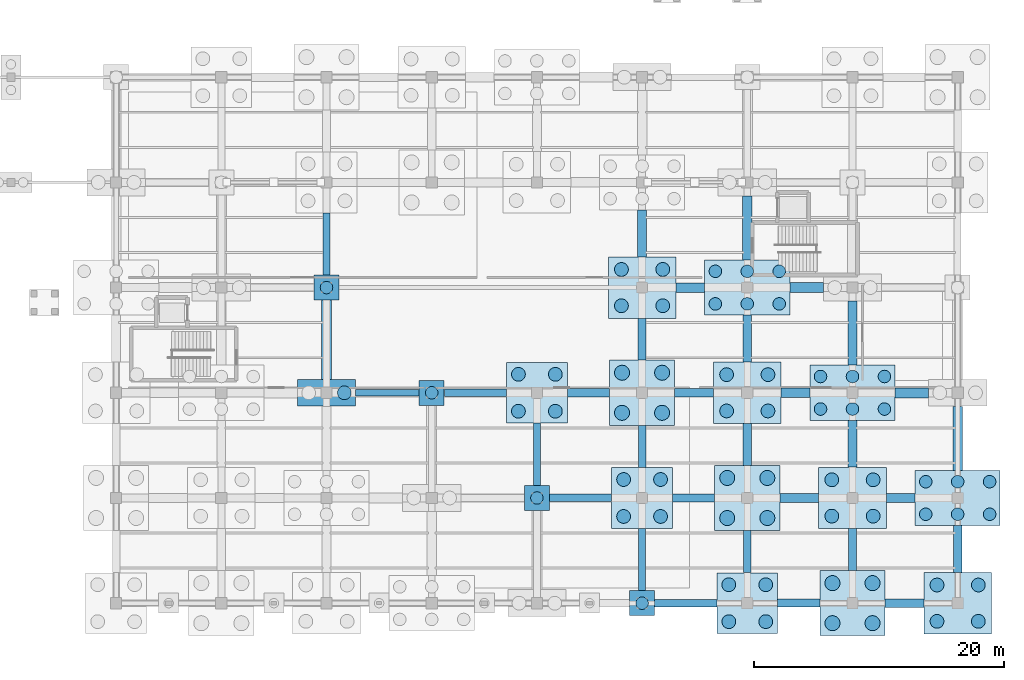
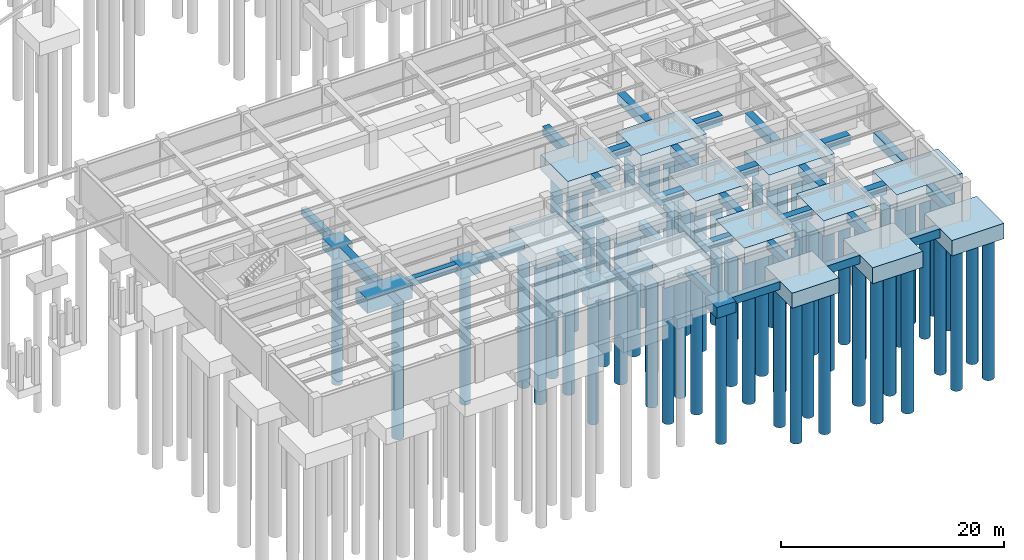
# One storey, part 7 of 38: 63 piles, 49 footings.
"""IFC4 building model written with IfcOpenShell, lengths in metres."""

from ifc_helpers import new_model, si_unit, direction, frame, origin, origin_2d, place, context, subcontext, project, spatial, polyline, rectangle, circle, outline, extrude, material, material_profile, profile_set, type_object, element, save


model = new_model("IFC4")

# Units and contexts
model_context = context("Model", 3, precision=1e-05, world=origin(), true_north=direction((0.0, 1.0)))
body_context = subcontext(model_context, "Body", "Model", "MODEL_VIEW")
ifc_project = project(units=[si_unit("LENGTHUNIT", "METRE"), si_unit("AREAUNIT", "SQUARE_METRE"), si_unit("VOLUMEUNIT", "CUBIC_METRE"), si_unit("PLANEANGLEUNIT", "RADIAN"), si_unit("MASSUNIT", "GRAM", prefix="KILO"), si_unit("THERMODYNAMICTEMPERATUREUNIT", "KELVIN"), si_unit("POWERUNIT", "WATT")], contexts=[model_context])

# Site, building, storey
site_placement = place(None, origin())
site = spatial("IfcSite", under=ifc_project, at=site_placement, CompositionType="ELEMENT")
building_placement = place(site_placement, origin())
building = spatial("IfcBuilding", under=site, at=building_placement, Name="Darbajah Civic Hall", CompositionType="ELEMENT")
storey_placement = place(building_placement, frame((0.0, 0.0, -4.199951171875)))
storey = spatial("IfcBuildingStorey", under=building, at=storey_placement, Name="B01", CompositionType="ELEMENT", Elevation=-4.199951171875)

# Piles
ifc_material = material(Name="Concrete C45/55", Category="concrete")
ifc_material_profile_1 = material_profile(ifc_material, circle(Radius=0.5, at=origin_2d()), Name="BORED PILE D1000")
ifc_profile_set_1 = profile_set([ifc_material_profile_1], Name="Concrete C45/55")
pile_type_1 = type_object("IfcPileType", Name="BORED PILE D1000", PredefinedType="BORED", material=ifc_profile_set_1)
for number, where, z_axis, x_axis, name in (
    (1, (127.800048828125, 25.199951171875, -1.10009765625), (0.0, 0.0, -1.0), (1.0, 0.0, 0.0), "B01 bored pile P-1000 V3-02-03-1"),
    (2, (136.199951171875, 16.800048828125, -1.10009765625), (0.0, 0.0, -1.0), (1.0, 0.0, 0.0), "B01 bored pile P-1000 V3-03-02-1"),
    (3, (144.60009765625, 8.39990234375, -1.10009765625), (0.0, 0.0, -1.0), (1.0, 0.0, 0.0), "B01 bored pile P-1000 V3-04-01-1"),
    (4, (153.0, 0.0, -1.10009765625), (0.0, 0.0, -1.0), (1.0, 0.0, 0.0), "B01 bored pile P-1000 V3-05-00-1"),
):
    element("IfcPile", number, at=place(storey_placement, frame(where, z_axis=z_axis, x_axis=x_axis)), inside=storey, type_object=pile_type_1, Name=name, PredefinedType="BORED", context=body_context, shape_type="SweptSolid", body=[
        extrude(circle(Radius=0.5, at=origin_2d()), origin(), (0.0, 0.0, 1.0), 14.5),
    ])
for number, where, z_axis, x_axis, name in (
    (5, (158.85009765625, 23.89990234375, -1.699951171875), (0.0, 0.0, -1.0), (1.0, 0.0, 0.0), "B01 bored pile P-1000 V3-06-03-1"),
    (6, (161.39990234375, 23.89990234375, -1.699951171875), (0.0, 0.0, -1.0), (1.0, 0.0, 0.0), "B01 bored pile P-1000 V3-06-03-2"),
    (7, (163.949951171875, 23.89990234375, -1.699951171875), (0.0, 0.0, -1.0), (1.0, 0.0, 0.0), "B01 bored pile P-1000 V3-06-03-3"),
    (8, (158.85009765625, 26.5, -1.699951171875), (0.0, 0.0, -1.0), (1.0, 0.0, 0.0), "B01 bored pile P-1000 V3-06-03-4"),
    (9, (161.39990234375, 26.5, -1.699951171875), (0.0, 0.0, -1.0), (1.0, 0.0, 0.0), "B01 bored pile P-1000 V3-06-03-5"),
    (10, (163.949951171875, 26.5, -1.699951171875), (0.0, 0.0, -1.0), (1.0, 0.0, 0.0), "B01 bored pile P-1000 V3-06-03-6"),
    (11, (167.25, 15.5, -1.699951171875), (0.0, 0.0, -1.0), (1.0, 0.0, 0.0), "B01 bored pile P-1000 V3-07-02-1"),
    (12, (169.800048828125, 15.5, -1.699951171875), (0.0, 0.0, -1.0), (1.0, 0.0, 0.0), "B01 bored pile P-1000 V3-07-02-2"),
    (13, (172.35009765625, 15.5, -1.699951171875), (0.0, 0.0, -1.0), (1.0, 0.0, 0.0), "B01 bored pile P-1000 V3-07-02-3"),
    (14, (167.25, 18.10009765625, -1.699951171875), (0.0, 0.0, -1.0), (1.0, 0.0, 0.0), "B01 bored pile P-1000 V3-07-02-4"),
    (15, (169.800048828125, 18.10009765625, -1.699951171875), (0.0, 0.0, -1.0), (1.0, 0.0, 0.0), "B01 bored pile P-1000 V3-07-02-5"),
    (16, (172.35009765625, 18.10009765625, -1.699951171875), (0.0, 0.0, -1.0), (1.0, 0.0, 0.0), "B01 bored pile P-1000 V3-07-02-6"),
    (17, (175.64990234375, 7.10009765625, -1.699951171875), (0.0, 0.0, -1.0), (1.0, 0.0, 0.0), "B01 bored pile P-1000 V3-08-01-1"),
    (18, (178.199951171875, 7.10009765625, -1.699951171875), (0.0, 0.0, -1.0), (1.0, 0.0, 0.0), "B01 bored pile P-1000 V3-08-01-2"),
    (19, (180.75, 7.10009765625, -1.699951171875), (0.0, 0.0, -1.0), (1.0, 0.0, 0.0), "B01 bored pile P-1000 V3-08-01-3"),
    (20, (175.64990234375, 9.699951171875, -1.699951171875), (0.0, 0.0, -1.0), (1.0, 0.0, 0.0), "B01 bored pile P-1000 V3-08-01-4"),
    (21, (178.199951171875, 9.699951171875, -1.699951171875), (0.0, 0.0, -1.0), (1.0, 0.0, 0.0), "B01 bored pile P-1000 V3-08-01-5"),
    (22, (180.75, 9.699951171875, -1.699951171875), (0.0, 0.0, -1.0), (1.0, 0.0, 0.0), "B01 bored pile P-1000 V3-08-01-6"),
):
    element("IfcPile", number, at=place(storey_placement, frame(where, z_axis=z_axis, x_axis=x_axis)), inside=storey, type_object=pile_type_1, Name=name, PredefinedType="BORED", context=body_context, shape_type="SweptSolid", body=[
        extrude(circle(Radius=0.5, at=origin_2d()), origin(), (0.0, 0.0, 1.0), 15.5),
    ])
ifc_material_profile_2 = material_profile(ifc_material, circle(Radius=0.550048828125, at=origin_2d()), Name="BORED PILE D1100")
ifc_profile_set_2 = profile_set([ifc_material_profile_2], Name="Concrete C45/55")
pile_type_2 = type_object("IfcPileType", Name="BORED PILE D1100", PredefinedType="BORED", material=ifc_profile_set_2)
for number, where, z_axis, x_axis, name in (
    (23, (129.22509765625, 16.800048828125, -1.400146484375), (0.0, 0.0, -1.0), (1.0, 0.0, 0.0), "B01 bored pile P-1100 V3-02-02-2"),
    (24, (143.125, 15.324951171875, -1.550048828125), (0.0, 0.0, -1.0), (1.0, 0.0, 0.0), "B01 bored pile P-1100 V3-04-02-1"),
    (25, (146.074951171875, 15.324951171875, -1.550048828125), (0.0, 0.0, -1.0), (1.0, 0.0, 0.0), "B01 bored pile P-1100 V3-04-02-2"),
    (26, (143.125, 18.27490234375, -1.550048828125), (0.0, 0.0, -1.0), (1.0, 0.0, 0.0), "B01 bored pile P-1100 V3-04-02-3"),
    (27, (146.074951171875, 18.27490234375, -1.550048828125), (0.0, 0.0, -1.0), (1.0, 0.0, 0.0), "B01 bored pile P-1100 V3-04-02-4"),
    (28, (151.52490234375, 6.925048828125, -1.550048828125), (0.0, 0.0, -1.0), (1.0, 0.0, 0.0), "B01 bored pile P-1100 V3-05-01-1"),
    (29, (154.47509765625, 6.925048828125, -1.550048828125), (0.0, 0.0, -1.0), (1.0, 0.0, 0.0), "B01 bored pile P-1100 V3-05-01-2"),
    (30, (151.52490234375, 9.875, -1.550048828125), (0.0, 0.0, -1.0), (1.0, 0.0, 0.0), "B01 bored pile P-1100 V3-05-01-3"),
    (31, (154.47509765625, 9.875, -1.550048828125), (0.0, 0.0, -1.0), (1.0, 0.0, 0.0), "B01 bored pile P-1100 V3-05-01-4"),
    (32, (151.35009765625, 23.75, -1.60009765625), (0.0, 0.0, -1.0), (1.0, 0.0, 0.0), "B01 bored pile P-1100 V3-05-03-1"),
    (33, (154.64990234375, 23.75, -1.60009765625), (0.0, 0.0, -1.0), (1.0, 0.0, 0.0), "B01 bored pile P-1100 V3-05-03-2"),
    (34, (151.35009765625, 26.64990234375, -1.60009765625), (0.0, 0.0, -1.0), (1.0, 0.0, 0.0), "B01 bored pile P-1100 V3-05-03-3"),
    (35, (154.64990234375, 26.64990234375, -1.60009765625), (0.0, 0.0, -1.0), (1.0, 0.0, 0.0), "B01 bored pile P-1100 V3-05-03-4"),
    (36, (159.925048828125, -1.47509765625, -1.550048828125), (0.0, 0.0, -1.0), (1.0, 0.0, 0.0), "B01 bored pile P-1100 V3-06-00-1"),
    (37, (162.875, -1.47509765625, -1.550048828125), (0.0, 0.0, -1.0), (1.0, 0.0, 0.0), "B01 bored pile P-1100 V3-06-00-2"),
    (38, (159.925048828125, 1.47509765625, -1.550048828125), (0.0, 0.0, -1.0), (1.0, 0.0, 0.0), "B01 bored pile P-1100 V3-06-00-3"),
    (39, (162.875, 1.47509765625, -1.550048828125), (0.0, 0.0, -1.0), (1.0, 0.0, 0.0), "B01 bored pile P-1100 V3-06-00-4"),
    (40, (159.75, 15.35009765625, -1.60009765625), (0.0, 0.0, -1.0), (1.0, 0.0, 0.0), "B01 bored pile P-1100 V3-06-02-1"),
    (41, (163.050048828125, 15.35009765625, -1.60009765625), (0.0, 0.0, -1.0), (1.0, 0.0, 0.0), "B01 bored pile P-1100 V3-06-02-2"),
    (42, (159.75, 18.25, -1.60009765625), (0.0, 0.0, -1.0), (1.0, 0.0, 0.0), "B01 bored pile P-1100 V3-06-02-3"),
    (43, (163.050048828125, 18.25, -1.60009765625), (0.0, 0.0, -1.0), (1.0, 0.0, 0.0), "B01 bored pile P-1100 V3-06-02-4"),
    (44, (168.14990234375, 6.949951171875, -1.60009765625), (0.0, 0.0, -1.0), (1.0, 0.0, 0.0), "B01 bored pile P-1100 V3-07-01-1"),
    (45, (171.449951171875, 6.949951171875, -1.60009765625), (0.0, 0.0, -1.0), (1.0, 0.0, 0.0), "B01 bored pile P-1100 V3-07-01-2"),
    (46, (168.14990234375, 9.85009765625, -1.60009765625), (0.0, 0.0, -1.0), (1.0, 0.0, 0.0), "B01 bored pile P-1100 V3-07-01-3"),
    (47, (171.449951171875, 9.85009765625, -1.60009765625), (0.0, 0.0, -1.0), (1.0, 0.0, 0.0), "B01 bored pile P-1100 V3-07-01-4"),
    (48, (176.550048828125, -1.449951171875, -1.60009765625), (0.0, 0.0, -1.0), (1.0, 0.0, 0.0), "B01 bored pile P-1100 V3-08-00-1"),
    (49, (179.85009765625, -1.449951171875, -1.60009765625), (0.0, 0.0, -1.0), (1.0, 0.0, 0.0), "B01 bored pile P-1100 V3-08-00-2"),
    (50, (176.550048828125, 1.449951171875, -1.60009765625), (0.0, 0.0, -1.0), (1.0, 0.0, 0.0), "B01 bored pile P-1100 V3-08-00-3"),
    (51, (179.85009765625, 1.449951171875, -1.60009765625), (0.0, 0.0, -1.0), (1.0, 0.0, 0.0), "B01 bored pile P-1100 V3-08-00-4"),
):
    element("IfcPile", number, at=place(storey_placement, frame(where, z_axis=z_axis, x_axis=x_axis)), inside=storey, type_object=pile_type_2, Name=name, PredefinedType="BORED", context=body_context, shape_type="SweptSolid", body=[
        extrude(circle(Radius=0.550048828125, at=origin_2d()), origin(), (0.0, 0.0, 1.0), 15.5),
    ])
ifc_material_profile_3 = material_profile(ifc_material, circle(Radius=0.60009765625, at=origin_2d()), Name="BORED PILE D1200")
ifc_profile_set_3 = profile_set([ifc_material_profile_3], Name="Concrete C45/55")
pile_type_3 = type_object("IfcPileType", Name="BORED PILE D1200", PredefinedType="BORED", material=ifc_profile_set_3)
for number, where, z_axis, x_axis, name in (
    (52, (151.39990234375, 15.199951171875, -1.650146484375), (0.0, 0.0, -1.0), (1.0, 0.0, 0.0), "B01 bored pile P-1200 V3-05-02-1"),
    (53, (154.60009765625, 15.199951171875, -1.650146484375), (0.0, 0.0, -1.0), (1.0, 0.0, 0.0), "B01 bored pile P-1200 V3-05-02-2"),
    (54, (151.39990234375, 18.39990234375, -1.650146484375), (0.0, 0.0, -1.0), (1.0, 0.0, 0.0), "B01 bored pile P-1200 V3-05-02-3"),
    (55, (154.60009765625, 18.39990234375, -1.650146484375), (0.0, 0.0, -1.0), (1.0, 0.0, 0.0), "B01 bored pile P-1200 V3-05-02-4"),
    (56, (159.800048828125, 6.800048828125, -1.650146484375), (0.0, 0.0, -1.0), (1.0, 0.0, 0.0), "B01 bored pile P-1200 V3-06-01-1"),
    (57, (163.0, 6.800048828125, -1.650146484375), (0.0, 0.0, -1.0), (1.0, 0.0, 0.0), "B01 bored pile P-1200 V3-06-01-2"),
    (58, (159.800048828125, 10.0, -1.650146484375), (0.0, 0.0, -1.0), (1.0, 0.0, 0.0), "B01 bored pile P-1200 V3-06-01-3"),
    (59, (163.0, 10.0, -1.650146484375), (0.0, 0.0, -1.0), (1.0, 0.0, 0.0), "B01 bored pile P-1200 V3-06-01-4"),
    (60, (168.199951171875, -1.60009765625, -1.650146484375), (0.0, 0.0, -1.0), (1.0, 0.0, 0.0), "B01 bored pile P-1200 V3-07-00-1"),
    (61, (171.39990234375, -1.60009765625, -1.650146484375), (0.0, 0.0, -1.0), (1.0, 0.0, 0.0), "B01 bored pile P-1200 V3-07-00-2"),
    (62, (168.199951171875, 1.60009765625, -1.650146484375), (0.0, 0.0, -1.0), (1.0, 0.0, 0.0), "B01 bored pile P-1200 V3-07-00-3"),
    (63, (171.39990234375, 1.60009765625, -1.650146484375), (0.0, 0.0, -1.0), (1.0, 0.0, 0.0), "B01 bored pile P-1200 V3-07-00-4"),
):
    element("IfcPile", number, at=place(storey_placement, frame(where, z_axis=z_axis, x_axis=x_axis)), inside=storey, type_object=pile_type_3, Name=name, PredefinedType="BORED", context=body_context, shape_type="SweptSolid", body=[
        extrude(circle(Radius=0.60009765625, at=origin_2d()), origin(), (0.0, 0.0, 1.0), 16.0),
    ])

# Footings
footing_type_1 = type_object("IfcFootingType", Name="Ground Strip Footing 550x800", PredefinedType="STRIP_FOOTING", material=ifc_material)
footing_1_placement = place(storey_placement, frame((0.0, 0.0, -0.800048828125)))
element("IfcFooting", 64, at=footing_1_placement, inside=storey, type_object=footing_type_1, Name="B01 ground strip footing SF-06", PredefinedType="STRIP_FOOTING", context=body_context, shape_type="SweptSolid", body=[
    extrude(outline(polyline([(128.074951171875, 26.205078125), (128.074951171875, 31.169921875), (127.52490234375, 31.169921875), (127.52490234375, 26.205078125), (128.074951171875, 26.205078125)])), origin(), (0.0, 0.0, 1.0), 0.800048828125),
])
footing_2_placement = place(storey_placement, frame((0.0, 0.0, -0.800048828125)))
element("IfcFooting", 65, at=footing_2_placement, inside=storey, type_object=footing_type_1, Name="B01 ground strip footing SF-06", PredefinedType="STRIP_FOOTING", context=body_context, shape_type="SweptSolid", body=[
    extrude(outline(polyline([(144.875, 9.405029296875), (144.875, 14.3701171875), (144.324951171875, 14.3701171875), (144.324951171875, 9.405029296875), (144.875, 9.405029296875)])), origin(), (0.0, 0.0, 1.0), 0.800048828125),
])
footing_3_placement = place(storey_placement, frame((0.0, 0.0, -0.800048828125)))
element("IfcFooting", 66, at=footing_3_placement, inside=storey, type_object=footing_type_1, Name="B01 ground strip footing SF-06", PredefinedType="STRIP_FOOTING", context=body_context, shape_type="SweptSolid", body=[
    extrude(outline(polyline([(153.27490234375, 1.0048828125), (153.27490234375, 5.969970703125), (152.72509765625, 5.969970703125), (152.72509765625, 1.0048828125), (153.27490234375, 1.0048828125)])), origin(), (0.0, 0.0, 1.0), 0.800048828125),
])
footing_4_placement = place(storey_placement, frame((0.0, 0.0, -0.800048828125)))
element("IfcFooting", 67, at=footing_4_placement, inside=storey, type_object=footing_type_1, Name="B01 ground strip footing SF-06", PredefinedType="STRIP_FOOTING", context=body_context, shape_type="SweptSolid", body=[
    extrude(outline(polyline([(130.1298828125, 16.52490234375), (135.195068359375, 16.52490234375), (135.195068359375, 17.074951171875), (130.1298828125, 17.074951171875), (130.1298828125, 16.52490234375)])), origin(), (0.0, 0.0, 1.0), 0.800048828125),
])
footing_type_2 = type_object("IfcFootingType", Name="Ground Strip Footing 600x850", PredefinedType="STRIP_FOOTING", material=ifc_material)
footing_5_placement = place(storey_placement, frame((0.0, 0.0, -0.85009765625)))
element("IfcFooting", 68, at=footing_5_placement, inside=storey, type_object=footing_type_2, Name="B01 ground strip footing SF-01", PredefinedType="STRIP_FOOTING", context=body_context, shape_type="SweptSolid", body=[
    extrude(outline(polyline([(153.300048828125, 10.830078125), (153.300048828125, 14.195068359375), (152.699951171875, 14.195068359375), (152.699951171875, 10.830078125), (153.300048828125, 10.830078125)])), origin(), (0.0, 0.0, 1.0), 0.85009765625),
])
footing_6_placement = place(storey_placement, frame((0.0, 0.0, -0.85009765625)))
element("IfcFooting", 69, at=footing_6_placement, inside=storey, type_object=footing_type_2, Name="B01 ground strip footing SF-01", PredefinedType="STRIP_FOOTING", context=body_context, shape_type="SweptSolid", body=[
    extrude(outline(polyline([(161.699951171875, 2.429931640625), (161.699951171875, 5.794921875), (161.10009765625, 5.794921875), (161.10009765625, 2.429931640625), (161.699951171875, 2.429931640625)])), origin(), (0.0, 0.0, 1.0), 0.85009765625),
])
footing_7_placement = place(storey_placement, frame((0.0, 0.0, -0.85009765625)))
element("IfcFooting", 70, at=footing_7_placement, inside=storey, type_object=footing_type_2, Name="B01 ground strip footing SF-01", PredefinedType="STRIP_FOOTING", context=body_context, shape_type="SweptSolid", body=[
    extrude(outline(polyline([(137.205078125, 16.5), (142.169921875, 16.5), (142.169921875, 17.10009765625), (137.205078125, 17.10009765625), (137.205078125, 16.5)])), origin(), (0.0, 0.0, 1.0), 0.85009765625),
])
footing_8_placement = place(storey_placement, frame((0.0, 0.0, -0.85009765625)))
element("IfcFooting", 71, at=footing_8_placement, inside=storey, type_object=footing_type_2, Name="B01 ground strip footing SF-01", PredefinedType="STRIP_FOOTING", context=body_context, shape_type="SweptSolid", body=[
    extrude(outline(polyline([(145.60498046875, 8.10009765625), (150.570068359375, 8.10009765625), (150.570068359375, 8.699951171875), (145.60498046875, 8.699951171875), (145.60498046875, 8.10009765625)])), origin(), (0.0, 0.0, 1.0), 0.85009765625),
])
footing_9_placement = place(storey_placement, frame((0.0, 0.0, -0.85009765625)))
element("IfcFooting", 72, at=footing_9_placement, inside=storey, type_object=footing_type_2, Name="B01 ground strip footing SF-01", PredefinedType="STRIP_FOOTING", context=body_context, shape_type="SweptSolid", body=[
    extrude(outline(polyline([(154.0048828125, -0.300048828125), (158.969970703125, -0.300048828125), (158.969970703125, 0.300048828125), (154.0048828125, 0.300048828125), (154.0048828125, -0.300048828125)])), origin(), (0.0, 0.0, 1.0), 0.85009765625),
])
footing_type_3 = type_object("IfcFootingType", Name="Ground Strip Footing 650x900", PredefinedType="STRIP_FOOTING", material=ifc_material)
footing_10_placement = place(storey_placement, frame((0.0, 0.0, -0.900146484375)))
element("IfcFooting", 73, at=footing_10_placement, inside=storey, type_object=footing_type_3, Name="B01 ground strip footing SF-02", PredefinedType="STRIP_FOOTING", context=body_context, shape_type="SweptSolid", body=[
    extrude(outline(polyline([(153.324951171875, 19.405029296875), (153.324951171875, 22.7451171875), (152.675048828125, 22.7451171875), (152.675048828125, 19.405029296875), (153.324951171875, 19.405029296875)])), origin(), (0.0, 0.0, 1.0), 0.900146484375),
])
footing_11_placement = place(storey_placement, frame((0.0, 0.0, -0.900146484375)))
element("IfcFooting", 74, at=footing_11_placement, inside=storey, type_object=footing_type_3, Name="B01 ground strip footing SF-02", PredefinedType="STRIP_FOOTING", context=body_context, shape_type="SweptSolid", body=[
    extrude(outline(polyline([(161.72509765625, 11.0048828125), (161.72509765625, 14.344970703125), (161.074951171875, 14.344970703125), (161.074951171875, 11.0048828125), (161.72509765625, 11.0048828125)])), origin(), (0.0, 0.0, 1.0), 0.900146484375),
])
footing_12_placement = place(storey_placement, frame((0.0, 0.0, -0.900146484375)))
element("IfcFooting", 75, at=footing_12_placement, inside=storey, type_object=footing_type_3, Name="B01 ground strip footing SF-02", PredefinedType="STRIP_FOOTING", context=body_context, shape_type="SweptSolid", body=[
    extrude(outline(polyline([(170.125, 2.60498046875), (170.125, 5.945068359375), (169.47509765625, 5.945068359375), (169.47509765625, 2.60498046875), (170.125, 2.60498046875)])), origin(), (0.0, 0.0, 1.0), 0.900146484375),
])
footing_13_placement = place(storey_placement, frame((0.0, 0.0, -0.900146484375)))
element("IfcFooting", 76, at=footing_13_placement, inside=storey, type_object=footing_type_3, Name="B01 ground strip footing SF-02", PredefinedType="STRIP_FOOTING", context=body_context, shape_type="SweptSolid", body=[
    extrude(outline(polyline([(147.030029296875, 16.47509765625), (150.39501953125, 16.47509765625), (150.39501953125, 17.125), (147.030029296875, 17.125), (147.030029296875, 16.47509765625)])), origin(), (0.0, 0.0, 1.0), 0.900146484375),
])
footing_14_placement = place(storey_placement, frame((0.0, 0.0, -0.900146484375)))
element("IfcFooting", 77, at=footing_14_placement, inside=storey, type_object=footing_type_3, Name="B01 ground strip footing SF-02", PredefinedType="STRIP_FOOTING", context=body_context, shape_type="SweptSolid", body=[
    extrude(outline(polyline([(155.429931640625, 8.074951171875), (158.794921875, 8.074951171875), (158.794921875, 8.72509765625), (155.429931640625, 8.72509765625), (155.429931640625, 8.074951171875)])), origin(), (0.0, 0.0, 1.0), 0.900146484375),
])
footing_15_placement = place(storey_placement, frame((0.0, 0.0, -0.900146484375)))
element("IfcFooting", 78, at=footing_15_placement, inside=storey, type_object=footing_type_3, Name="B01 ground strip footing SF-02", PredefinedType="STRIP_FOOTING", context=body_context, shape_type="SweptSolid", body=[
    extrude(outline(polyline([(163.830078125, -0.324951171875), (167.195068359375, -0.324951171875), (167.195068359375, 0.324951171875), (163.830078125, 0.324951171875), (163.830078125, -0.324951171875)])), origin(), (0.0, 0.0, 1.0), 0.900146484375),
])
footing_type_4 = type_object("IfcFootingType", Name="Ground Strip Footing 700x950", PredefinedType="STRIP_FOOTING", material=ifc_material)
footing_16_placement = place(storey_placement, frame((0.0, 0.0, -0.949951171875)))
element("IfcFooting", 79, at=footing_16_placement, inside=storey, type_object=footing_type_4, Name="B01 ground strip footing SF-03", PredefinedType="STRIP_FOOTING", context=body_context, shape_type="SweptSolid", body=[
    extrude(outline(polyline([(153.35009765625, 27.655029296875), (153.35009765625, 31.39501953125), (152.64990234375, 31.39501953125), (152.64990234375, 27.655029296875), (153.35009765625, 27.655029296875)])), origin(), (0.0, 0.0, 1.0), 0.949951171875),
])
footing_17_placement = place(storey_placement, frame((0.0, 0.0, -0.949951171875)))
element("IfcFooting", 80, at=footing_17_placement, inside=storey, type_object=footing_type_4, Name="B01 ground strip footing SF-03", PredefinedType="STRIP_FOOTING", context=body_context, shape_type="SweptSolid", body=[
    extrude(outline(polyline([(161.75, 19.2548828125), (161.75, 22.9951171875), (161.050048828125, 22.9951171875), (161.050048828125, 19.2548828125), (161.75, 19.2548828125)])), origin(), (0.0, 0.0, 1.0), 0.949951171875),
])
footing_18_placement = place(storey_placement, frame((0.0, 0.0, -0.949951171875)))
element("IfcFooting", 81, at=footing_18_placement, inside=storey, type_object=footing_type_4, Name="B01 ground strip footing SF-03", PredefinedType="STRIP_FOOTING", context=body_context, shape_type="SweptSolid", body=[
    extrude(outline(polyline([(170.14990234375, 10.85498046875), (170.14990234375, 14.594970703125), (169.449951171875, 14.594970703125), (169.449951171875, 10.85498046875), (170.14990234375, 10.85498046875)])), origin(), (0.0, 0.0, 1.0), 0.949951171875),
])
footing_19_placement = place(storey_placement, frame((0.0, 0.0, -0.949951171875)))
element("IfcFooting", 82, at=footing_19_placement, inside=storey, type_object=footing_type_4, Name="B01 ground strip footing SF-03", PredefinedType="STRIP_FOOTING", context=body_context, shape_type="SweptSolid", body=[
    extrude(outline(polyline([(178.550048828125, 2.455078125), (178.550048828125, 6.195068359375), (177.85009765625, 6.195068359375), (177.85009765625, 2.455078125), (178.550048828125, 2.455078125)])), origin(), (0.0, 0.0, 1.0), 0.949951171875),
])
footing_20_placement = place(storey_placement, frame((0.0, 0.0, -0.949951171875)))
element("IfcFooting", 83, at=footing_20_placement, inside=storey, type_object=footing_type_4, Name="B01 ground strip footing SF-03", PredefinedType="STRIP_FOOTING", context=body_context, shape_type="SweptSolid", body=[
    extrude(outline(polyline([(155.60498046875, 16.449951171875), (158.695068359375, 16.449951171875), (158.695068359375, 17.14990234375), (155.60498046875, 17.14990234375), (155.60498046875, 16.449951171875)])), origin(), (0.0, 0.0, 1.0), 0.949951171875),
])
footing_21_placement = place(storey_placement, frame((0.0, 0.0, -0.949951171875)))
element("IfcFooting", 84, at=footing_21_placement, inside=storey, type_object=footing_type_4, Name="B01 ground strip footing SF-03", PredefinedType="STRIP_FOOTING", context=body_context, shape_type="SweptSolid", body=[
    extrude(outline(polyline([(164.0048828125, 8.050048828125), (167.094970703125, 8.050048828125), (167.094970703125, 8.75), (164.0048828125, 8.75), (164.0048828125, 8.050048828125)])), origin(), (0.0, 0.0, 1.0), 0.949951171875),
])
footing_22_placement = place(storey_placement, frame((0.0, 0.0, -0.949951171875)))
element("IfcFooting", 85, at=footing_22_placement, inside=storey, type_object=footing_type_4, Name="B01 ground strip footing SF-03", PredefinedType="STRIP_FOOTING", context=body_context, shape_type="SweptSolid", body=[
    extrude(outline(polyline([(172.405029296875, -0.35009765625), (175.4951171875, -0.35009765625), (175.4951171875, 0.35009765625), (172.405029296875, 0.35009765625), (172.405029296875, -0.35009765625)])), origin(), (0.0, 0.0, 1.0), 0.949951171875),
])
footing_type_5 = type_object("IfcFootingType", Name="Ground Strip Footing 750x1000", PredefinedType="STRIP_FOOTING", material=ifc_material)
footing_23_placement = place(storey_placement, frame((0.0, 0.0, -1.0)))
element("IfcFooting", 86, at=footing_23_placement, inside=storey, type_object=footing_type_5, Name="B01 ground strip footing SF-04", PredefinedType="STRIP_FOOTING", context=body_context, shape_type="SweptSolid", body=[
    extrude(outline(polyline([(161.77490234375, 27.405029296875), (161.77490234375, 32.52001953125), (161.02490234375, 32.52001953125), (161.02490234375, 27.405029296875), (161.77490234375, 27.405029296875)])), origin(), (0.0, 0.0, 1.0), 1.0),
])
footing_24_placement = place(storey_placement, frame((0.0, 0.0, -1.0)))
element("IfcFooting", 87, at=footing_24_placement, inside=storey, type_object=footing_type_5, Name="B01 ground strip footing SF-04", PredefinedType="STRIP_FOOTING", context=body_context, shape_type="SweptSolid", body=[
    extrude(outline(polyline([(170.175048828125, 19.0048828125), (170.175048828125, 24.1201171875), (169.425048828125, 24.1201171875), (169.425048828125, 19.0048828125), (170.175048828125, 19.0048828125)])), origin(), (0.0, 0.0, 1.0), 1.0),
])
footing_25_placement = place(storey_placement, frame((0.0, 0.0, -1.0)))
element("IfcFooting", 88, at=footing_25_placement, inside=storey, type_object=footing_type_5, Name="B01 ground strip footing SF-04", PredefinedType="STRIP_FOOTING", context=body_context, shape_type="SweptSolid", body=[
    extrude(outline(polyline([(178.574951171875, 10.60498046875), (178.574951171875, 15.719970703125), (177.824951171875, 15.719970703125), (177.824951171875, 10.60498046875), (178.574951171875, 10.60498046875)])), origin(), (0.0, 0.0, 1.0), 1.0),
])
footing_26_placement = place(storey_placement, frame((0.0, 0.0, -1.0)))
element("IfcFooting", 89, at=footing_26_placement, inside=storey, type_object=footing_type_5, Name="B01 ground strip footing SF-04", PredefinedType="STRIP_FOOTING", context=body_context, shape_type="SweptSolid", body=[
    extrude(outline(polyline([(155.705078125, 24.824951171875), (157.9951171875, 24.824951171875), (157.9951171875, 25.574951171875), (155.705078125, 25.574951171875), (155.705078125, 24.824951171875)])), origin(), (0.0, 0.0, 1.0), 1.0),
])
footing_27_placement = place(storey_placement, frame((0.0, 0.0, -1.0)))
element("IfcFooting", 90, at=footing_27_placement, inside=storey, type_object=footing_type_5, Name="B01 ground strip footing SF-04", PredefinedType="STRIP_FOOTING", context=body_context, shape_type="SweptSolid", body=[
    extrude(outline(polyline([(164.10498046875, 16.425048828125), (166.39501953125, 16.425048828125), (166.39501953125, 17.175048828125), (164.10498046875, 17.175048828125), (164.10498046875, 16.425048828125)])), origin(), (0.0, 0.0, 1.0), 1.0),
])
footing_28_placement = place(storey_placement, frame((0.0, 0.0, -1.0)))
element("IfcFooting", 91, at=footing_28_placement, inside=storey, type_object=footing_type_5, Name="B01 ground strip footing SF-04", PredefinedType="STRIP_FOOTING", context=body_context, shape_type="SweptSolid", body=[
    extrude(outline(polyline([(172.5048828125, 8.02490234375), (174.794921875, 8.02490234375), (174.794921875, 8.77490234375), (172.5048828125, 8.77490234375), (172.5048828125, 8.02490234375)])), origin(), (0.0, 0.0, 1.0), 1.0),
])
footing_type_6 = type_object("IfcFootingType", Name="Ground Strip Footing 800x1050", PredefinedType="STRIP_FOOTING", material=ifc_material)
footing_29_placement = place(storey_placement, frame((0.0, 0.0, -1.050048828125)))
element("IfcFooting", 92, at=footing_29_placement, inside=storey, type_object=footing_type_6, Name="B01 ground strip footing SF-05", PredefinedType="STRIP_FOOTING", context=body_context, shape_type="SweptSolid", body=[
    extrude(outline(polyline([(128.199951171875, 17.8798828125), (128.199951171875, 24.195068359375), (127.39990234375, 24.195068359375), (127.39990234375, 17.8798828125), (128.199951171875, 17.8798828125)])), origin(), (0.0, 0.0, 1.0), 1.050048828125),
])
footing_30_placement = place(storey_placement, frame((0.0, 0.0, -1.050048828125)))
element("IfcFooting", 93, at=footing_30_placement, inside=storey, type_object=footing_type_6, Name="B01 ground strip footing SF-05", PredefinedType="STRIP_FOOTING", context=body_context, shape_type="SweptSolid", body=[
    extrude(outline(polyline([(164.804931640625, 24.800048828125), (167.469970703125, 24.800048828125), (167.469970703125, 25.60009765625), (164.804931640625, 25.60009765625), (164.804931640625, 24.800048828125)])), origin(), (0.0, 0.0, 1.0), 1.050048828125),
])
footing_31_placement = place(storey_placement, frame((0.0, 0.0, -1.050048828125)))
element("IfcFooting", 94, at=footing_31_placement, inside=storey, type_object=footing_type_6, Name="B01 ground strip footing SF-05", PredefinedType="STRIP_FOOTING", context=body_context, shape_type="SweptSolid", body=[
    extrude(outline(polyline([(173.205078125, 16.39990234375), (175.8701171875, 16.39990234375), (175.8701171875, 17.199951171875), (173.205078125, 17.199951171875), (173.205078125, 16.39990234375)])), origin(), (0.0, 0.0, 1.0), 1.050048828125),
])
footing_type_7 = type_object("IfcFootingType", Name="Pile Cap 2000x2000x1200", PredefinedType="PILE_CAP", material=ifc_material)
for number, where, z_axis, x_axis, name in (
    (95, (127.800048828125, 25.199951171875, -1.2001953125), (0.0, 0.0, 1.0), (1.0, 0.0, 0.0), "B01 pile cap PC-1C at V3-02-03"),
    (96, (136.199951171875, 16.800048828125, -1.2001953125), (0.0, 0.0, 1.0), (1.0, 0.0, 0.0), "B01 pile cap PC-1C at V3-03-02"),
    (97, (144.60009765625, 8.39990234375, -1.2001953125), (0.0, 0.0, 1.0), (1.0, 0.0, 0.0), "B01 pile cap PC-1C at V3-04-01"),
    (98, (153.0, 0.0, -1.2001953125), (0.0, 0.0, 1.0), (1.0, 0.0, 0.0), "B01 pile cap PC-1C at V3-05-00"),
):
    element("IfcFooting", number, at=place(storey_placement, frame(where, z_axis=z_axis, x_axis=x_axis)), inside=storey, type_object=footing_type_7, Name=name, PredefinedType="PILE_CAP", context=body_context, shape_type="SweptSolid", body=[
        extrude(rectangle(XDim=2.0, YDim=2.0, at=origin_2d()), origin(), (0.0, 0.0, 1.0), 1.199951171875),
    ])
footing_type_8 = type_object("IfcFootingType", Name="Pile Cap 4650x2150x1500", PredefinedType="PILE_CAP", material=ifc_material)
footing_32_placement = place(storey_placement, frame((127.800048828125, 16.800048828125, -1.5), z_axis=(0.0, 0.0, 1.0), x_axis=(1.0, 0.0, 0.0)))
element("IfcFooting", 99, at=footing_32_placement, inside=storey, type_object=footing_type_8, Name="B01 pile cap PC-2G at V3-02-02", PredefinedType="PILE_CAP", context=body_context, shape_type="SweptSolid", body=[
    extrude(rectangle(XDim=4.64990234375, YDim=2.14990234375, at=origin_2d()), origin(), (0.0, 0.0, 1.0), 1.5),
])
footing_type_9 = type_object("IfcFootingType", Name="Pile Cap 4850x4850x1650", PredefinedType="PILE_CAP", material=ifc_material)
for number, where, z_axis, x_axis, name in (
    (100, (144.60009765625, 16.800048828125, -1.64990234375), (0.0, 0.0, 1.0), (1.0, 0.0, 0.0), "B01 pile cap PC-4G at V3-04-02"),
    (101, (153.0, 8.39990234375, -1.64990234375), (0.0, 0.0, 1.0), (1.0, 0.0, 0.0), "B01 pile cap PC-4G at V3-05-01"),
    (102, (161.39990234375, 0.0, -1.64990234375), (0.0, 0.0, 1.0), (1.0, 0.0, 0.0), "B01 pile cap PC-4G at V3-06-00"),
):
    element("IfcFooting", number, at=place(storey_placement, frame(where, z_axis=z_axis, x_axis=x_axis)), inside=storey, type_object=footing_type_9, Name=name, PredefinedType="PILE_CAP", context=body_context, shape_type="SweptSolid", body=[
        extrude(rectangle(XDim=4.85009765625, YDim=4.85009765625, at=origin_2d()), origin(), (0.0, 0.0, 1.0), 1.64990234375),
    ])
footing_type_10 = type_object("IfcFootingType", Name="Pile Cap 5200x5200x1750", PredefinedType="PILE_CAP", material=ifc_material)
for number, where, z_axis, x_axis, name in (
    (103, (153.0, 16.800048828125, -1.75), (0.0, 0.0, 1.0), (1.0, 0.0, 0.0), "B01 pile cap PC-4H at V3-05-02"),
    (104, (161.39990234375, 8.39990234375, -1.75), (0.0, 0.0, 1.0), (1.0, 0.0, 0.0), "B01 pile cap PC-4H at V3-06-01"),
    (105, (169.800048828125, 0.0, -1.75), (0.0, 0.0, 1.0), (1.0, 0.0, 0.0), "B01 pile cap PC-4H at V3-07-00"),
):
    element("IfcFooting", number, at=place(storey_placement, frame(where, z_axis=z_axis, x_axis=x_axis)), inside=storey, type_object=footing_type_10, Name=name, PredefinedType="PILE_CAP", context=body_context, shape_type="SweptSolid", body=[
        extrude(rectangle(XDim=5.199951171875, YDim=5.199951171875, at=origin_2d()), origin(), (0.0, 0.0, 1.0), 1.75),
    ])
footing_type_11 = type_object("IfcFootingType", Name="Pile Cap 5400x4900x1700", PredefinedType="PILE_CAP", material=ifc_material)
for number, where, z_axis, x_axis, name in (
    (106, (153.0, 25.199951171875, -1.7001953125), (0.0, 0.0, 1.0), (1.0, 0.0, 0.0), "B01 pile cap PC-4J at V3-05-03"),
    (107, (161.39990234375, 16.800048828125, -1.7001953125), (0.0, 0.0, 1.0), (1.0, 0.0, 0.0), "B01 pile cap PC-4J at V3-06-02"),
    (108, (169.800048828125, 8.39990234375, -1.7001953125), (0.0, 0.0, 1.0), (1.0, 0.0, 0.0), "B01 pile cap PC-4J at V3-07-01"),
    (109, (178.199951171875, 0.0, -1.7001953125), (0.0, 0.0, 1.0), (1.0, 0.0, 0.0), "B01 pile cap PC-4J at V3-08-00"),
):
    element("IfcFooting", number, at=place(storey_placement, frame(where, z_axis=z_axis, x_axis=x_axis)), inside=storey, type_object=footing_type_11, Name=name, PredefinedType="PILE_CAP", context=body_context, shape_type="SweptSolid", body=[
        extrude(rectangle(XDim=5.39990234375, YDim=4.89990234375, at=origin_2d()), origin(), (0.0, 0.0, 1.0), 1.699951171875),
    ])
footing_type_12 = type_object("IfcFootingType", Name="Pile Cap 6800x4400x1800", PredefinedType="PILE_CAP", material=ifc_material)
for number, where, z_axis, x_axis, name in (
    (110, (161.39990234375, 25.199951171875, -1.80029296875), (0.0, 0.0, 1.0), (1.0, 0.0, 0.0), "B01 pile cap PC-6A at V3-06-03"),
    (111, (169.800048828125, 16.800048828125, -1.80029296875), (0.0, 0.0, 1.0), (1.0, 0.0, 0.0), "B01 pile cap PC-6A at V3-07-02"),
    (112, (178.199951171875, 8.39990234375, -1.80029296875), (0.0, 0.0, 1.0), (1.0, 0.0, 0.0), "B01 pile cap PC-6A at V3-08-01"),
):
    element("IfcFooting", number, at=place(storey_placement, frame(where, z_axis=z_axis, x_axis=x_axis)), inside=storey, type_object=footing_type_12, Name=name, PredefinedType="PILE_CAP", context=body_context, shape_type="SweptSolid", body=[
        extrude(rectangle(XDim=6.800048828125, YDim=4.39990234375, at=origin_2d()), origin(), (0.0, 0.0, 1.0), 1.800048828125),
    ])

save(model, "model.ifc")
